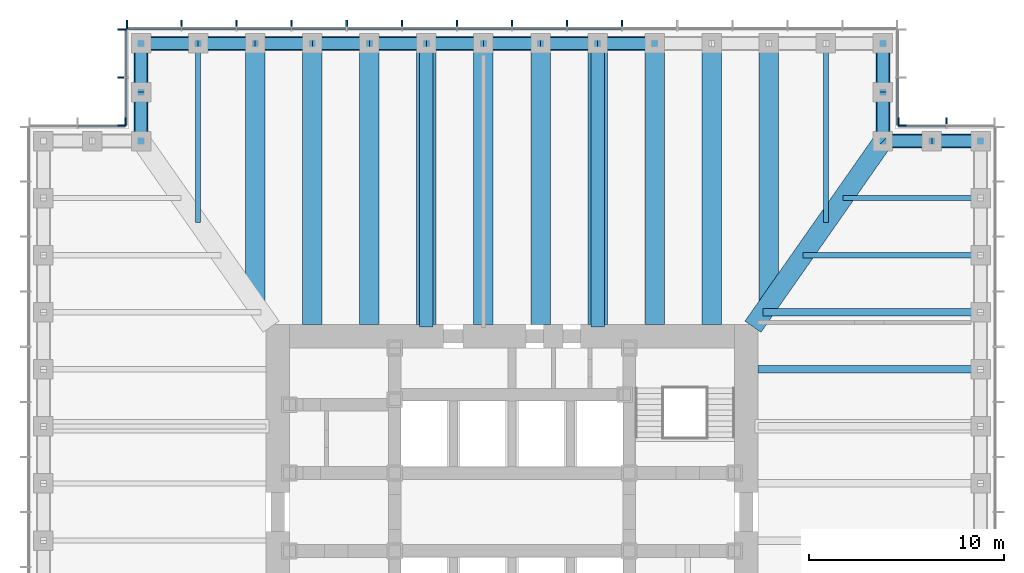
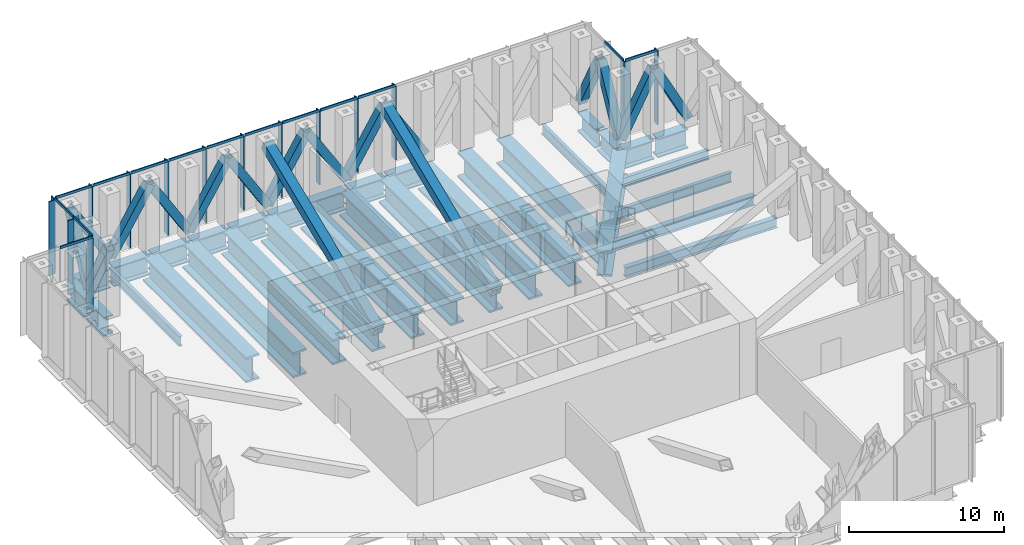
# One storey, part 5 of 15: 48 members, 32 beams, 5 elements without a shape of their own.
"""IFC4 building model written with IfcOpenShell, lengths in metres."""

from ifc_helpers import new_model, si_unit, direction, frame, origin, origin_2d, place, context, subcontext, project, spatial, rectangle, hollow_rectangle, i_section, extrude, material, material_profile, profile_set, type_object, element, aggregate, save


model = new_model("IFC4")

# Units and contexts
model_context = context("Model", 3, precision=1e-05, world=origin(), true_north=direction((0.0, 1.0)))
body_context = subcontext(model_context, "Body", "Model", "MODEL_VIEW")
ifc_project = project(units=[si_unit("LENGTHUNIT", "METRE"), si_unit("AREAUNIT", "SQUARE_METRE"), si_unit("VOLUMEUNIT", "CUBIC_METRE"), si_unit("PLANEANGLEUNIT", "RADIAN"), si_unit("MASSUNIT", "GRAM", prefix="KILO")], contexts=[model_context])

# Site, building, storey
site_placement = place(None, origin())
site = spatial("IfcSite", under=ifc_project, at=site_placement, CompositionType="ELEMENT")
building_placement = place(site_placement, origin())
building = spatial("IfcBuilding", under=site, at=building_placement, Name="Daluyong Arena Tower", CompositionType="ELEMENT")
storey_placement = place(building_placement, frame((0.0, 0.0, 102.10009765625)))
storey = spatial("IfcBuildingStorey", under=building, at=storey_placement, Name="L22", CompositionType="ELEMENT", Elevation=102.10009765625)

# Members
ifc_material_1 = material(Name="Steel ASTM A572 Grade 50", Category="steel")
ifc_material_profile_1 = material_profile(ifc_material_1, hollow_rectangle(XDim=0.60009765625, YDim=0.60009765625, WallThickness=0.05, at=origin_2d()))
ifc_profile_set_1 = profile_set([ifc_material_profile_1], Name="Steel ASTM A572 Grade 50")
member_type_1 = type_object("IfcMemberType", Name="Belt truss diagonal BX600X50", PredefinedType="BRACE", material=ifc_profile_set_1)
for number, where, z_axis, x_axis, name in (
    (1, (80.0, 99.0, 0.5), (-0.465746432833, 0.0, 0.884918222382), (0.0, -1.0, 0.0), "belt truss diagonal BT1"),
    (2, (75.0, 99.0, 0.5), (0.465746432833, 0.0, 0.884918222382), (0.0, 1.0, 0.0), "belt truss diagonal BT1"),
    (3, (75.0, 99.0, 0.5), (0.0, 0.465746432833, 0.884918222382), (-1.0, 0.0, 0.0), "belt truss diagonal BT1"),
    (4, (75.0, 104.0, 0.5), (0.0, -0.465746432833, 0.884918222382), (1.0, 0.0, 0.0), "belt truss diagonal BT1"),
):
    element("IfcMember", number, at=place(storey_placement, frame(where, z_axis=z_axis, x_axis=x_axis)), inside=storey, type_object=member_type_1, Name=name, PredefinedType="BRACE", context=body_context, shape_type="SweptSolid", body=[
        extrude(hollow_rectangle(XDim=0.60009765625, YDim=0.60009765625, WallThickness=0.05, at=origin_2d()), origin(), (0.0, 0.0, 1.0), 5.36767578125),
    ])
for number, where, z_axis, x_axis, name in (
    (5, (63.3076171875, 104.0, 0.5), (-0.524099867959, 0.0, 0.851656813749), (0.0, -1.0, 0.0), "belt truss diagonal BT1"),
    (6, (57.46142578125, 104.0, 0.5), (0.524099867959, 0.0, 0.851656813749), (0.0, 1.0, 0.0), "belt truss diagonal BT1"),
):
    element("IfcMember", number, at=place(storey_placement, frame(where, z_axis=z_axis, x_axis=x_axis)), inside=storey, type_object=member_type_1, Name=name, PredefinedType="BRACE", context=body_context, shape_type="SweptSolid", body=[
        extrude(hollow_rectangle(XDim=0.60009765625, YDim=0.60009765625, WallThickness=0.05, at=origin_2d()), origin(), (0.0, 0.0, 1.0), 5.577392578125),
    ])
member_1_placement = place(storey_placement, frame((57.46142578125, 104.0, 0.5), z_axis=(-0.524068117116, 0.0, 0.851676352039), x_axis=(0.0, -1.0, 0.0)))
element("IfcMember", 7, at=member_1_placement, inside=storey, type_object=member_type_1, Name="belt truss diagonal BT1", PredefinedType="BRACE", context=body_context, shape_type="SweptSolid", body=[
    extrude(hollow_rectangle(XDim=0.60009765625, YDim=0.60009765625, WallThickness=0.05, at=origin_2d()), origin(), (0.0, 0.0, 1.0), 5.5771484375),
])
for number, where, z_axis, x_axis, name in (
    (8, (51.615478515625, 104.0, 0.5), (0.524099867959, 0.0, 0.851656813749), (0.0, 1.0, 0.0), "belt truss diagonal BT1"),
    (9, (51.615478515625, 104.0, 0.5), (-0.524099867959, 0.0, 0.851656813749), (0.0, -1.0, 0.0), "belt truss diagonal BT1"),
    (10, (45.769287109375, 104.0, 0.5), (0.524099867959, 0.0, 0.851656813749), (0.0, 1.0, 0.0), "belt truss diagonal BT1"),
    (11, (45.769287109375, 104.0, 0.5), (-0.524099867959, 0.0, 0.851656813749), (0.0, -1.0, 0.0), "belt truss diagonal BT1"),
    (12, (39.923095703125, 104.0, 0.5), (0.524099867959, 0.0, 0.851656813749), (0.0, 1.0, 0.0), "belt truss diagonal BT1"),
    (13, (39.923095703125, 104.0, 0.5), (-0.524099867959, 0.0, 0.851656813749), (0.0, -1.0, 0.0), "belt truss diagonal BT1"),
):
    element("IfcMember", number, at=place(storey_placement, frame(where, z_axis=z_axis, x_axis=x_axis)), inside=storey, type_object=member_type_1, Name=name, PredefinedType="BRACE", context=body_context, shape_type="SweptSolid", body=[
        extrude(hollow_rectangle(XDim=0.60009765625, YDim=0.60009765625, WallThickness=0.05, at=origin_2d()), origin(), (0.0, 0.0, 1.0), 5.577392578125),
    ])
for number, where, z_axis, x_axis, name in (
    (14, (37.0, 101.5, 0.5), (0.0, 0.465746432833, 0.884918222382), (-1.0, 0.0, 0.0), "belt truss diagonal BT1"),
    (15, (37.0, 101.5, 0.5), (0.0, -0.465746432833, 0.884918222382), (1.0, 0.0, 0.0), "belt truss diagonal BT1"),
):
    element("IfcMember", number, at=place(storey_placement, frame(where, z_axis=z_axis, x_axis=x_axis)), inside=storey, type_object=member_type_1, Name=name, PredefinedType="BRACE", context=body_context, shape_type="SweptSolid", body=[
        extrude(hollow_rectangle(XDim=0.60009765625, YDim=0.60009765625, WallThickness=0.05, at=origin_2d()), origin(), (0.0, 0.0, 1.0), 5.36767578125),
    ])

# Curtain wall, members
ifc_material_2 = material(Name="Bronze anodised aluminium and glass", Category="aluminium")
curtain_wall_type = type_object("IfcCurtainWallType", Name="Curtain wall CW6", PredefinedType="USERDEFINED", material=ifc_material_2)
curtain_wall_1_placement = place(storey_placement, origin())
curtain_wall_1 = element("IfcCurtainWall", 16, at=curtain_wall_1_placement, inside=storey, type_object=curtain_wall_type, Name="curtain wall L22 NE-N", ObjectType="UNITISED CURTAIN WALL", PredefinedType="USERDEFINED")
ifc_material_3 = material(Name="Bronze anodised aluminium fin", Category="aluminium")
ifc_material_profile_2 = material_profile(ifc_material_3, rectangle(XDim=0.449951171875, YDim=0.080078125, at=origin_2d()))
ifc_profile_set_2 = profile_set([ifc_material_profile_2], Name="Bronze anodised aluminium fin")
member_type_2 = type_object("IfcMemberType", Name="CW6 bronze fin 450x80", PredefinedType="MULLION", material=ifc_profile_set_2)
member_2_placement = place(storey_placement, frame((78.25, 99.97509765625, 0.0), z_axis=(0.0, 0.0, 1.0), x_axis=(0.0, -1.0, 0.0)))
member_2 = element("IfcMember", 17, at=member_2_placement, type_object=member_type_2, Name="curtain wall L22 NE-N fin 2", PredefinedType="MULLION", context=body_context, shape_type="SweptSolid", body=[
    extrude(rectangle(XDim=0.449951171875, YDim=0.080078125, at=origin_2d()), origin(), (0.0, 0.0, 1.0), 5.7998046875),
])
member_3_placement = place(storey_placement, frame((75.7900390625, 99.97509765625, 0.0), z_axis=(0.0, 0.0, 1.0), x_axis=(0.0, -1.0, 0.0)))
member_3 = element("IfcMember", 18, at=member_3_placement, type_object=member_type_2, Name="curtain wall L22 NE-N fin 3", PredefinedType="MULLION", context=body_context, shape_type="SweptSolid", body=[
    extrude(rectangle(XDim=0.449951171875, YDim=0.080078125, at=origin_2d()), origin(), (0.0, 0.0, 1.0), 5.7998046875),
])

# Curtain wall, member
curtain_wall_2_placement = place(storey_placement, origin())
curtain_wall_2 = element("IfcCurtainWall", 19, at=curtain_wall_2_placement, inside=storey, type_object=curtain_wall_type, Name="curtain wall L22 NE-E", ObjectType="UNITISED CURTAIN WALL", PredefinedType="USERDEFINED")
member_4_placement = place(storey_placement, frame((75.97509765625, 99.7900390625, 0.0), z_axis=(0.0, 0.0, 1.0), x_axis=(-1.0, 0.0, 0.0)))
member_4 = element("IfcMember", 20, at=member_4_placement, type_object=member_type_2, Name="curtain wall L22 NE-E fin 1", PredefinedType="MULLION", context=body_context, shape_type="SweptSolid", body=[
    extrude(rectangle(XDim=0.449951171875, YDim=0.080078125, at=origin_2d()), origin(), (0.0, 0.0, 1.0), 5.7998046875),
])

# Curtain wall, members
curtain_wall_3_placement = place(storey_placement, origin())
curtain_wall_3 = element("IfcCurtainWall", 21, at=curtain_wall_3_placement, inside=storey, type_object=curtain_wall_type, Name="curtain wall L22 N", ObjectType="UNITISED CURTAIN WALL", PredefinedType="USERDEFINED")
member_5_placement = place(storey_placement, frame((61.642822265625, 104.97509765625, 0.0), z_axis=(0.0, 0.0, 1.0), x_axis=(0.0, -1.0, 0.0)))
member_5 = element("IfcMember", 22, at=member_5_placement, type_object=member_type_2, Name="curtain wall L22 N fin 6", PredefinedType="MULLION", context=body_context, shape_type="SweptSolid", body=[
    extrude(rectangle(XDim=0.449951171875, YDim=0.080078125, at=origin_2d()), origin(), (0.0, 0.0, 1.0), 5.7998046875),
])
member_6_placement = place(storey_placement, frame((58.821533203125, 104.97509765625, 0.0), z_axis=(0.0, 0.0, 1.0), x_axis=(0.0, -1.0, 0.0)))
member_6 = element("IfcMember", 23, at=member_6_placement, type_object=member_type_2, Name="curtain wall L22 N fin 7", PredefinedType="MULLION", context=body_context, shape_type="SweptSolid", body=[
    extrude(rectangle(XDim=0.449951171875, YDim=0.080078125, at=origin_2d()), origin(), (0.0, 0.0, 1.0), 5.7998046875),
])
member_7_placement = place(storey_placement, frame((56.0, 104.97509765625, 0.0), z_axis=(0.0, 0.0, 1.0), x_axis=(0.0, -1.0, 0.0)))
member_7 = element("IfcMember", 24, at=member_7_placement, type_object=member_type_2, Name="curtain wall L22 N fin 8", PredefinedType="MULLION", context=body_context, shape_type="SweptSolid", body=[
    extrude(rectangle(XDim=0.449951171875, YDim=0.080078125, at=origin_2d()), origin(), (0.0, 0.0, 1.0), 5.7998046875),
])
member_8_placement = place(storey_placement, frame((53.178466796875, 104.97509765625, 0.0), z_axis=(0.0, 0.0, 1.0), x_axis=(0.0, -1.0, 0.0)))
member_8 = element("IfcMember", 25, at=member_8_placement, type_object=member_type_2, Name="curtain wall L22 N fin 9", PredefinedType="MULLION", context=body_context, shape_type="SweptSolid", body=[
    extrude(rectangle(XDim=0.449951171875, YDim=0.080078125, at=origin_2d()), origin(), (0.0, 0.0, 1.0), 5.7998046875),
])
member_9_placement = place(storey_placement, frame((50.357177734375, 104.97509765625, 0.0), z_axis=(0.0, 0.0, 1.0), x_axis=(0.0, -1.0, 0.0)))
member_9 = element("IfcMember", 26, at=member_9_placement, type_object=member_type_2, Name="curtain wall L22 N fin 10", PredefinedType="MULLION", context=body_context, shape_type="SweptSolid", body=[
    extrude(rectangle(XDim=0.449951171875, YDim=0.080078125, at=origin_2d()), origin(), (0.0, 0.0, 1.0), 5.7998046875),
])
member_10_placement = place(storey_placement, frame((47.53564453125, 104.97509765625, 0.0), z_axis=(0.0, 0.0, 1.0), x_axis=(0.0, -1.0, 0.0)))
member_10 = element("IfcMember", 27, at=member_10_placement, type_object=member_type_2, Name="curtain wall L22 N fin 11", PredefinedType="MULLION", context=body_context, shape_type="SweptSolid", body=[
    extrude(rectangle(XDim=0.449951171875, YDim=0.080078125, at=origin_2d()), origin(), (0.0, 0.0, 1.0), 5.7998046875),
])
member_11_placement = place(storey_placement, frame((44.71435546875, 104.97509765625, 0.0), z_axis=(0.0, 0.0, 1.0), x_axis=(0.0, -1.0, 0.0)))
member_11 = element("IfcMember", 28, at=member_11_placement, type_object=member_type_2, Name="curtain wall L22 N fin 12", PredefinedType="MULLION", context=body_context, shape_type="SweptSolid", body=[
    extrude(rectangle(XDim=0.449951171875, YDim=0.080078125, at=origin_2d()), origin(), (0.0, 0.0, 1.0), 5.7998046875),
])
member_12_placement = place(storey_placement, frame((41.892822265625, 104.97509765625, 0.0), z_axis=(0.0, 0.0, 1.0), x_axis=(0.0, -1.0, 0.0)))
member_12 = element("IfcMember", 29, at=member_12_placement, type_object=member_type_2, Name="curtain wall L22 N fin 13", PredefinedType="MULLION", context=body_context, shape_type="SweptSolid", body=[
    extrude(rectangle(XDim=0.449951171875, YDim=0.080078125, at=origin_2d()), origin(), (0.0, 0.0, 1.0), 5.7998046875),
])
member_13_placement = place(storey_placement, frame((39.071533203125, 104.97509765625, 0.0), z_axis=(0.0, 0.0, 1.0), x_axis=(0.0, -1.0, 0.0)))
member_13 = element("IfcMember", 30, at=member_13_placement, type_object=member_type_2, Name="curtain wall L22 N fin 14", PredefinedType="MULLION", context=body_context, shape_type="SweptSolid", body=[
    extrude(rectangle(XDim=0.449951171875, YDim=0.080078125, at=origin_2d()), origin(), (0.0, 0.0, 1.0), 5.7998046875),
])
member_14_placement = place(storey_placement, frame((36.2900390625, 104.97509765625, 0.0), z_axis=(0.0, 0.0, 1.0), x_axis=(0.0, -1.0, 0.0)))
member_14 = element("IfcMember", 31, at=member_14_placement, type_object=member_type_2, Name="curtain wall L22 N fin 15", PredefinedType="MULLION", context=body_context, shape_type="SweptSolid", body=[
    extrude(rectangle(XDim=0.449951171875, YDim=0.080078125, at=origin_2d()), origin(), (0.0, 0.0, 1.0), 5.7998046875),
])

curtain_wall_4_placement = place(storey_placement, origin())
curtain_wall_4 = element("IfcCurtainWall", 32, at=curtain_wall_4_placement, inside=storey, type_object=curtain_wall_type, Name="curtain wall L22 NW-W", ObjectType="UNITISED CURTAIN WALL", PredefinedType="USERDEFINED")
member_15_placement = place(storey_placement, frame((36.02490234375, 104.7099609375, 0.0), z_axis=(0.0, 0.0, 1.0), x_axis=(1.0, 0.0, 0.0)))
member_15 = element("IfcMember", 33, at=member_15_placement, type_object=member_type_2, Name="curtain wall L22 NW-W fin 1", PredefinedType="MULLION", context=body_context, shape_type="SweptSolid", body=[
    extrude(rectangle(XDim=0.449951171875, YDim=0.080078125, at=origin_2d()), origin(), (0.0, 0.0, 1.0), 5.7998046875),
])
member_16_placement = place(storey_placement, frame((36.02490234375, 102.25, 0.0), z_axis=(0.0, 0.0, 1.0), x_axis=(1.0, 0.0, 0.0)))
member_16 = element("IfcMember", 34, at=member_16_placement, type_object=member_type_2, Name="curtain wall L22 NW-W fin 2", PredefinedType="MULLION", context=body_context, shape_type="SweptSolid", body=[
    extrude(rectangle(XDim=0.449951171875, YDim=0.080078125, at=origin_2d()), origin(), (0.0, 0.0, 1.0), 5.7998046875),
])
member_17_placement = place(storey_placement, frame((36.02490234375, 99.7900390625, 0.0), z_axis=(0.0, 0.0, 1.0), x_axis=(1.0, 0.0, 0.0)))
member_17 = element("IfcMember", 35, at=member_17_placement, type_object=member_type_2, Name="curtain wall L22 NW-W fin 3", PredefinedType="MULLION", context=body_context, shape_type="SweptSolid", body=[
    extrude(rectangle(XDim=0.449951171875, YDim=0.080078125, at=origin_2d()), origin(), (0.0, 0.0, 1.0), 5.7998046875),
])

# Curtain wall, member
curtain_wall_5_placement = place(storey_placement, origin())
curtain_wall_5 = element("IfcCurtainWall", 36, at=curtain_wall_5_placement, inside=storey, type_object=curtain_wall_type, Name="curtain wall L22 NW-N", ObjectType="UNITISED CURTAIN WALL", PredefinedType="USERDEFINED")
member_18_placement = place(storey_placement, frame((36.2099609375, 99.97509765625, 0.0), z_axis=(0.0, 0.0, 1.0), x_axis=(0.0, -1.0, 0.0)))
member_18 = element("IfcMember", 37, at=member_18_placement, type_object=member_type_2, Name="curtain wall L22 NW-N fin 1", PredefinedType="MULLION", context=body_context, shape_type="SweptSolid", body=[
    extrude(rectangle(XDim=0.449951171875, YDim=0.080078125, at=origin_2d()), origin(), (0.0, 0.0, 1.0), 5.7998046875),
])

# Member
ifc_material_4 = material(Name="Bronze anodised aluminium", Category="aluminium")
ifc_material_profile_3 = material_profile(ifc_material_4, rectangle(XDim=0.080078125, YDim=0.199951171875, at=origin_2d()))
ifc_profile_set_3 = profile_set([ifc_material_profile_3], Name="Bronze anodised aluminium")
member_type_3 = type_object("IfcMemberType", Name="CW6 stack transom 200x80", PredefinedType="USERDEFINED", material=ifc_profile_set_3)
member_19_placement = place(storey_placement, frame((78.2099609375, 99.75, 5.89990234375), z_axis=(-1.0, 0.0, 0.0), x_axis=(0.0, -1.0, 0.0)))
member_19 = element("IfcMember", 38, at=member_19_placement, type_object=member_type_3, Name="curtain wall L22 NE-N transom 2", ObjectType="TRANSOM", PredefinedType="USERDEFINED", context=body_context, shape_type="SweptSolid", body=[
    extrude(rectangle(XDim=0.080078125, YDim=0.199951171875, at=origin_2d()), origin(), (0.0, 0.0, 1.0), 2.3798828125),
])

aggregate(curtain_wall_1, [member_2, member_3, member_19])

member_20_placement = place(storey_placement, frame((75.75, 99.830078125, 5.89990234375), z_axis=(0.0, 1.0, 0.0), x_axis=(-1.0, 0.0, 0.0)))
member_20 = element("IfcMember", 39, at=member_20_placement, type_object=member_type_3, Name="curtain wall L22 NE-E transom 1", ObjectType="TRANSOM", PredefinedType="USERDEFINED", context=body_context, shape_type="SweptSolid", body=[
    extrude(rectangle(XDim=0.080078125, YDim=0.199951171875, at=origin_2d()), origin(), (0.0, 0.0, 1.0), 2.3798828125),
])

aggregate(curtain_wall_2, [member_4, member_20])

member_21_placement = place(storey_placement, frame((61.602783203125, 104.75, 5.89990234375), z_axis=(-1.0, 0.0, 0.0), x_axis=(0.0, -1.0, 0.0)))
member_21 = element("IfcMember", 40, at=member_21_placement, type_object=member_type_3, Name="curtain wall L22 N transom 6", ObjectType="TRANSOM", PredefinedType="USERDEFINED", context=body_context, shape_type="SweptSolid", body=[
    extrude(rectangle(XDim=0.080078125, YDim=0.199951171875, at=origin_2d()), origin(), (0.0, 0.0, 1.0), 2.741455078125),
])

member_22_placement = place(storey_placement, frame((58.781494140625, 104.75, 5.89990234375), z_axis=(-1.0, 0.0, 0.0), x_axis=(0.0, -1.0, 0.0)))
member_22 = element("IfcMember", 41, at=member_22_placement, type_object=member_type_3, Name="curtain wall L22 N transom 7", ObjectType="TRANSOM", PredefinedType="USERDEFINED", context=body_context, shape_type="SweptSolid", body=[
    extrude(rectangle(XDim=0.080078125, YDim=0.199951171875, at=origin_2d()), origin(), (0.0, 0.0, 1.0), 2.741455078125),
])

member_23_placement = place(storey_placement, frame((55.9599609375, 104.75, 5.89990234375), z_axis=(-1.0, 0.0, 0.0), x_axis=(0.0, -1.0, 0.0)))
member_23 = element("IfcMember", 42, at=member_23_placement, type_object=member_type_3, Name="curtain wall L22 N transom 8", ObjectType="TRANSOM", PredefinedType="USERDEFINED", context=body_context, shape_type="SweptSolid", body=[
    extrude(rectangle(XDim=0.080078125, YDim=0.199951171875, at=origin_2d()), origin(), (0.0, 0.0, 1.0), 2.741455078125),
])

member_24_placement = place(storey_placement, frame((53.138671875, 104.75, 5.89990234375), z_axis=(-1.0, 0.0, 0.0), x_axis=(0.0, -1.0, 0.0)))
member_24 = element("IfcMember", 43, at=member_24_placement, type_object=member_type_3, Name="curtain wall L22 N transom 9", ObjectType="TRANSOM", PredefinedType="USERDEFINED", context=body_context, shape_type="SweptSolid", body=[
    extrude(rectangle(XDim=0.080078125, YDim=0.199951171875, at=origin_2d()), origin(), (0.0, 0.0, 1.0), 2.741455078125),
])

member_25_placement = place(storey_placement, frame((50.317138671875, 104.75, 5.89990234375), z_axis=(-1.0, 0.0, 0.0), x_axis=(0.0, -1.0, 0.0)))
member_25 = element("IfcMember", 44, at=member_25_placement, type_object=member_type_3, Name="curtain wall L22 N transom 10", ObjectType="TRANSOM", PredefinedType="USERDEFINED", context=body_context, shape_type="SweptSolid", body=[
    extrude(rectangle(XDim=0.080078125, YDim=0.199951171875, at=origin_2d()), origin(), (0.0, 0.0, 1.0), 2.741455078125),
])

member_26_placement = place(storey_placement, frame((47.49560546875, 104.75, 5.89990234375), z_axis=(-1.0, 0.0, 0.0), x_axis=(0.0, -1.0, 0.0)))
member_26 = element("IfcMember", 45, at=member_26_placement, type_object=member_type_3, Name="curtain wall L22 N transom 11", ObjectType="TRANSOM", PredefinedType="USERDEFINED", context=body_context, shape_type="SweptSolid", body=[
    extrude(rectangle(XDim=0.080078125, YDim=0.199951171875, at=origin_2d()), origin(), (0.0, 0.0, 1.0), 2.7412109375),
])

member_27_placement = place(storey_placement, frame((44.67431640625, 104.75, 5.89990234375), z_axis=(-1.0, 0.0, 0.0), x_axis=(0.0, -1.0, 0.0)))
member_27 = element("IfcMember", 46, at=member_27_placement, type_object=member_type_3, Name="curtain wall L22 N transom 12", ObjectType="TRANSOM", PredefinedType="USERDEFINED", context=body_context, shape_type="SweptSolid", body=[
    extrude(rectangle(XDim=0.080078125, YDim=0.199951171875, at=origin_2d()), origin(), (0.0, 0.0, 1.0), 2.741455078125),
])

member_28_placement = place(storey_placement, frame((41.852783203125, 104.75, 5.89990234375), z_axis=(-1.0, 0.0, 0.0), x_axis=(0.0, -1.0, 0.0)))
member_28 = element("IfcMember", 47, at=member_28_placement, type_object=member_type_3, Name="curtain wall L22 N transom 13", ObjectType="TRANSOM", PredefinedType="USERDEFINED", context=body_context, shape_type="SweptSolid", body=[
    extrude(rectangle(XDim=0.080078125, YDim=0.199951171875, at=origin_2d()), origin(), (0.0, 0.0, 1.0), 2.741455078125),
])

member_29_placement = place(storey_placement, frame((39.031494140625, 104.75, 5.89990234375), z_axis=(-1.0, 0.0, 0.0), x_axis=(0.0, -1.0, 0.0)))
member_29 = element("IfcMember", 48, at=member_29_placement, type_object=member_type_3, Name="curtain wall L22 N transom 14", ObjectType="TRANSOM", PredefinedType="USERDEFINED", context=body_context, shape_type="SweptSolid", body=[
    extrude(rectangle(XDim=0.080078125, YDim=0.199951171875, at=origin_2d()), origin(), (0.0, 0.0, 1.0), 2.701416015625),
])

aggregate(curtain_wall_3, [member_5, member_6, member_7, member_8, member_9, member_10, member_11, member_12, member_13, member_14, member_21, member_22, member_23, member_24, member_25, member_26, member_27, member_28, member_29])

member_30_placement = place(storey_placement, frame((36.25, 104.669921875, 5.89990234375), z_axis=(0.0, -1.0, 0.0), x_axis=(1.0, 0.0, 0.0)))
member_30 = element("IfcMember", 49, at=member_30_placement, type_object=member_type_3, Name="curtain wall L22 NW-W transom 1", ObjectType="TRANSOM", PredefinedType="USERDEFINED", context=body_context, shape_type="SweptSolid", body=[
    extrude(rectangle(XDim=0.080078125, YDim=0.199951171875, at=origin_2d()), origin(), (0.0, 0.0, 1.0), 2.3798828125),
])

member_31_placement = place(storey_placement, frame((36.25, 102.2099609375, 5.89990234375), z_axis=(0.0, -1.0, 0.0), x_axis=(1.0, 0.0, 0.0)))
member_31 = element("IfcMember", 50, at=member_31_placement, type_object=member_type_3, Name="curtain wall L22 NW-W transom 2", ObjectType="TRANSOM", PredefinedType="USERDEFINED", context=body_context, shape_type="SweptSolid", body=[
    extrude(rectangle(XDim=0.080078125, YDim=0.199951171875, at=origin_2d()), origin(), (0.0, 0.0, 1.0), 2.3798828125),
])

aggregate(curtain_wall_4, [member_15, member_16, member_17, member_30, member_31])

member_32_placement = place(storey_placement, frame((36.169921875, 99.75, 5.89990234375), z_axis=(-1.0, 0.0, 0.0), x_axis=(0.0, -1.0, 0.0)))
member_32 = element("IfcMember", 51, at=member_32_placement, type_object=member_type_3, Name="curtain wall L22 NW-N transom 1", ObjectType="TRANSOM", PredefinedType="USERDEFINED", context=body_context, shape_type="SweptSolid", body=[
    extrude(rectangle(XDim=0.080078125, YDim=0.199951171875, at=origin_2d()), origin(), (0.0, 0.0, 1.0), 2.3798828125),
])

aggregate(curtain_wall_5, [member_18, member_32])

# Beams
ifc_material_5 = material(Name="Steel ASTM A588 Grade 50", Category="steel")
ifc_material_profile_4 = material_profile(ifc_material_5, i_section(OverallWidth=1.0, OverallDepth=2.0, WebThickness=0.06, FlangeThickness=0.15, at=origin_2d()))
ifc_profile_set_4 = profile_set([ifc_material_profile_4], Name="Steel ASTM A588 Grade 50")
beam_type_1 = type_object("IfcBeamType", Name="Corner girder PG2000X1000", PredefinedType="BEAM", material=ifc_profile_set_4)
beam_1_placement = place(storey_placement, frame((74.93408203125, 98.90576171875, -1.25), z_axis=(-0.573466621875, -0.819228926244, 0.0), x_axis=(0.819228926244, -0.573466621875, 0.0)))
element("IfcBeam", 52, at=beam_1_placement, inside=storey, type_object=beam_type_1, Name="corner girder DG3", PredefinedType="BEAM", context=body_context, shape_type="SweptSolid", body=[
    extrude(i_section(OverallWidth=1.0, OverallDepth=2.0, WebThickness=0.06, FlangeThickness=0.15, at=origin_2d()), origin(), (0.0, 0.0, 1.0), 11.49169921875),
])
ifc_material_6 = material(Name="Steel ASTM A588 Grade 50", Category="steel")
ifc_material_profile_5 = material_profile(ifc_material_6, i_section(OverallWidth=1.0, OverallDepth=2.0, WebThickness=0.06, FlangeThickness=0.15, at=origin_2d()))
ifc_profile_set_5 = profile_set([ifc_material_profile_5], Name="Steel ASTM A588 Grade 50")
beam_type_2 = type_object("IfcBeamType", Name="Floor beam PG2000X1000", PredefinedType="BEAM", material=ifc_profile_set_5)
beam_2_placement = place(storey_placement, frame((69.15380859375, 103.885009765625, -1.25), z_axis=(0.0, -1.0, 0.0), x_axis=(1.0, 0.0, 0.0)))
element("IfcBeam", 53, at=beam_2_placement, inside=storey, type_object=beam_type_2, Name="floor beam FB5", PredefinedType="BEAM", context=body_context, shape_type="SweptSolid", body=[
    extrude(i_section(OverallWidth=1.0, OverallDepth=2.0, WebThickness=0.06, FlangeThickness=0.15, at=origin_2d()), origin(), (0.0, 0.0, 1.0), 13.236572265625),
])
for number, where, z_axis, x_axis, name in (
    (54, (66.230712890625, 103.885009765625, -1.25), (0.0, -1.0, 0.0), (1.0, 0.0, 0.0), "floor beam FB5"),
    (55, (63.3076171875, 103.885009765625, -1.25), (0.0, -1.0, 0.0), (1.0, 0.0, 0.0), "floor beam FB5"),
    (56, (60.384521484375, 103.885009765625, -1.25), (0.0, -1.0, 0.0), (1.0, 0.0, 0.0), "floor beam FB5"),
    (57, (57.46142578125, 103.885009765625, -1.25), (0.0, -1.0, 0.0), (1.0, 0.0, 0.0), "floor beam FB5"),
    (58, (54.53857421875, 103.885009765625, -1.25), (0.0, -1.0, 0.0), (1.0, 0.0, 0.0), "floor beam FB5"),
    (59, (51.615478515625, 103.885009765625, -1.25), (0.0, -1.0, 0.0), (1.0, 0.0, 0.0), "floor beam FB5"),
    (60, (48.6923828125, 103.885009765625, -1.25), (0.0, -1.0, 0.0), (1.0, 0.0, 0.0), "floor beam FB5"),
    (61, (45.769287109375, 103.885009765625, -1.25), (0.0, -1.0, 0.0), (1.0, 0.0, 0.0), "floor beam FB5"),
):
    element("IfcBeam", number, at=place(storey_placement, frame(where, z_axis=z_axis, x_axis=x_axis)), inside=storey, type_object=beam_type_2, Name=name, PredefinedType="BEAM", context=body_context, shape_type="SweptSolid", body=[
        extrude(i_section(OverallWidth=1.0, OverallDepth=2.0, WebThickness=0.06, FlangeThickness=0.15, at=origin_2d()), origin(), (0.0, 0.0, 1.0), 14.284912109375),
    ])
beam_3_placement = place(storey_placement, frame((42.84619140625, 103.885009765625, -1.25), z_axis=(0.0, -1.0, 0.0), x_axis=(1.0, 0.0, 0.0)))
element("IfcBeam", 62, at=beam_3_placement, inside=storey, type_object=beam_type_2, Name="floor beam FB5", PredefinedType="BEAM", context=body_context, shape_type="SweptSolid", body=[
    extrude(i_section(OverallWidth=1.0, OverallDepth=2.0, WebThickness=0.06, FlangeThickness=0.15, at=origin_2d()), origin(), (0.0, 0.0, 1.0), 13.236572265625),
])
ifc_material_7 = material(Name="Steel ASTM A992 Grade 50", Category="steel")
ifc_material_profile_6 = material_profile(ifc_material_7, i_section(OverallWidth=0.2666015625, OverallDepth=0.761962890625, WebThickness=0.014404296875, FlangeThickness=0.021484375, at=origin_2d()))
ifc_profile_set_6 = profile_set([ifc_material_profile_6], Name="Steel ASTM A992 Grade 50")
beam_type_3 = type_object("IfcBeamType", Name="Floor beam W30X116", PredefinedType="BEAM", material=ifc_profile_set_6)
beam_4_placement = place(storey_placement, frame((79.885009765625, 93.15380859375, -0.631103515625), z_axis=(-1.0, 0.0, 0.0), x_axis=(0.0, -1.0, 0.0)))
element("IfcBeam", 63, at=beam_4_placement, inside=storey, type_object=beam_type_3, Name="floor beam FB4", PredefinedType="BEAM", context=body_context, shape_type="SweptSolid", body=[
    extrude(i_section(OverallWidth=0.2666015625, OverallDepth=0.761962890625, WebThickness=0.014404296875, FlangeThickness=0.021484375, at=origin_2d()), origin(), (0.0, 0.0, 1.0), 8.977294921875),
])
beam_5_placement = place(storey_placement, frame((79.885009765625, 96.076904296875, -0.631103515625), z_axis=(-1.0, 0.0, 0.0), x_axis=(0.0, -1.0, 0.0)))
element("IfcBeam", 64, at=beam_5_placement, inside=storey, type_object=beam_type_3, Name="floor beam FB4", PredefinedType="BEAM", context=body_context, shape_type="SweptSolid", body=[
    extrude(i_section(OverallWidth=0.2666015625, OverallDepth=0.761962890625, WebThickness=0.014404296875, FlangeThickness=0.021484375, at=origin_2d()), origin(), (0.0, 0.0, 1.0), 6.93115234375),
])
for number, where, z_axis, x_axis, name in (
    (65, (72.076904296875, 103.885009765625, -0.631103515625), (0.0, -1.0, 0.0), (1.0, 0.0, 0.0), "floor beam FB4"),
    (66, (39.923095703125, 103.885009765625, -0.631103515625), (0.0, -1.0, 0.0), (1.0, 0.0, 0.0), "floor beam FB4"),
):
    element("IfcBeam", number, at=place(storey_placement, frame(where, z_axis=z_axis, x_axis=x_axis)), inside=storey, type_object=beam_type_3, Name=name, PredefinedType="BEAM", context=body_context, shape_type="SweptSolid", body=[
        extrude(i_section(OverallWidth=0.2666015625, OverallDepth=0.761962890625, WebThickness=0.014404296875, FlangeThickness=0.021484375, at=origin_2d()), origin(), (0.0, 0.0, 1.0), 9.060791015625),
    ])
ifc_material_8 = material(Name="Steel ASTM A992 Grade 50", Category="steel")
ifc_material_profile_7 = material_profile(ifc_material_8, i_section(OverallWidth=0.381103515625, OverallDepth=0.772216796875, WebThickness=0.0166015625, FlangeThickness=0.027099609375, at=origin_2d()))
ifc_profile_set_7 = profile_set([ifc_material_profile_7], Name="Steel ASTM A992 Grade 50")
beam_type_4 = type_object("IfcBeamType", Name="Floor beam W30X173", PredefinedType="BEAM", material=ifc_profile_set_7)
beam_6_placement = place(storey_placement, frame((79.885009765625, 87.3076171875, -0.63623046875), z_axis=(-1.0, 0.0, 0.0), x_axis=(0.0, -1.0, 0.0)))
element("IfcBeam", 67, at=beam_6_placement, inside=storey, type_object=beam_type_4, Name="floor beam FB2", PredefinedType="BEAM", context=body_context, shape_type="SweptSolid", body=[
    extrude(i_section(OverallWidth=0.381103515625, OverallDepth=0.772216796875, WebThickness=0.0166015625, FlangeThickness=0.027099609375, at=origin_2d()), origin(), (0.0, 0.0, 1.0), 11.284912109375),
])
beam_7_placement = place(storey_placement, frame((79.885009765625, 90.230712890625, -0.63623046875), z_axis=(-1.0, 0.0, 0.0), x_axis=(0.0, -1.0, 0.0)))
element("IfcBeam", 68, at=beam_7_placement, inside=storey, type_object=beam_type_4, Name="floor beam FB2", PredefinedType="BEAM", context=body_context, shape_type="SweptSolid", body=[
    extrude(i_section(OverallWidth=0.381103515625, OverallDepth=0.772216796875, WebThickness=0.0166015625, FlangeThickness=0.027099609375, at=origin_2d()), origin(), (0.0, 0.0, 1.0), 11.0234375),
])

# Members
ifc_material_9 = material(Name="Steel ASTM A572 Grade 50", Category="steel")
ifc_material_profile_8 = material_profile(ifc_material_9, hollow_rectangle(XDim=0.699951171875, YDim=0.699951171875, WallThickness=0.06, at=origin_2d()))
ifc_profile_set_8 = profile_set([ifc_material_profile_8], Name="Steel ASTM A572 Grade 50")
member_type_4 = type_object("IfcMemberType", Name="Outrigger diagonal BX700X60", PredefinedType="BRACE", material=ifc_profile_set_8)
for number, where, z_axis, x_axis, name in (
    (69, (51.615478515625, 89.60009765625, -0.75), (0.0, 0.923075997031, 0.384617607118), (-1.0, 0.0, 0.0), "outrigger diagonal OT1"),
    (70, (60.384521484375, 89.60009765625, -0.75), (0.0, 0.923075997031, 0.384617607118), (-1.0, 0.0, 0.0), "outrigger diagonal OT1"),
):
    element("IfcMember", number, at=place(storey_placement, frame(where, z_axis=z_axis, x_axis=x_axis)), inside=storey, type_object=member_type_4, Name=name, PredefinedType="BRACE", context=body_context, shape_type="SweptSolid", body=[
        extrude(hollow_rectangle(XDim=0.699951171875, YDim=0.699951171875, WallThickness=0.06, at=origin_2d()), origin(), (0.0, 0.0, 1.0), 15.599853515625),
    ])

# Beams
ifc_material_10 = material(Name="Steel ASTM A572 Grade 50", Category="steel")
ifc_material_profile_9 = material_profile(ifc_material_10, i_section(OverallWidth=0.699951171875, OverallDepth=1.5, WebThickness=0.04, FlangeThickness=0.08, at=origin_2d()))
ifc_profile_set_9 = profile_set([ifc_material_profile_9], Name="Steel ASTM A572 Grade 50")
beam_type_5 = type_object("IfcBeamType", Name="Spandrel Z1 PG1500X700", PredefinedType="SPANDREL", material=ifc_profile_set_9)
for number, where, z_axis, x_axis, name in (
    (71, (79.885009765625, 99.0, -1.0), (-1.0, 0.0, 0.0), (0.0, -1.0, 0.0), "spandrel z1 SB4"),
    (72, (77.385009765625, 99.0, -1.0), (-1.0, 0.0, 0.0), (0.0, -1.0, 0.0), "spandrel z1 SB4"),
    (73, (75.0, 99.114990234375, -1.0), (0.0, 1.0, 0.0), (-1.0, 0.0, 0.0), "spandrel z1 SB4"),
    (74, (75.0, 101.614990234375, -1.0), (0.0, 1.0, 0.0), (-1.0, 0.0, 0.0), "spandrel z1 SB4"),
):
    element("IfcBeam", number, at=place(storey_placement, frame(where, z_axis=z_axis, x_axis=x_axis)), inside=storey, type_object=beam_type_5, Name=name, PredefinedType="SPANDREL", context=body_context, shape_type="SweptSolid", body=[
        extrude(i_section(OverallWidth=0.699951171875, OverallDepth=1.5, WebThickness=0.04, FlangeThickness=0.08, at=origin_2d()), origin(), (0.0, 0.0, 1.0), 2.27001953125),
    ])
for number, where, z_axis, x_axis, name in (
    (75, (63.192626953125, 104.0, -1.0), (-1.0, 0.0, 0.0), (0.0, -1.0, 0.0), "spandrel z1 SB4"),
    (76, (60.26953125, 104.0, -1.0), (-1.0, 0.0, 0.0), (0.0, -1.0, 0.0), "spandrel z1 SB4"),
):
    element("IfcBeam", number, at=place(storey_placement, frame(where, z_axis=z_axis, x_axis=x_axis)), inside=storey, type_object=beam_type_5, Name=name, PredefinedType="SPANDREL", context=body_context, shape_type="SweptSolid", body=[
        extrude(i_section(OverallWidth=0.699951171875, OverallDepth=1.5, WebThickness=0.04, FlangeThickness=0.08, at=origin_2d()), origin(), (0.0, 0.0, 1.0), 2.693115234375),
    ])
beam_8_placement = place(storey_placement, frame((57.346435546875, 104.0, -1.0), z_axis=(-1.0, 0.0, 0.0), x_axis=(0.0, -1.0, 0.0)))
element("IfcBeam", 77, at=beam_8_placement, inside=storey, type_object=beam_type_5, Name="spandrel z1 SB4", PredefinedType="SPANDREL", context=body_context, shape_type="SweptSolid", body=[
    extrude(i_section(OverallWidth=0.699951171875, OverallDepth=1.5, WebThickness=0.04, FlangeThickness=0.08, at=origin_2d()), origin(), (0.0, 0.0, 1.0), 2.69287109375),
])
for number, where, z_axis, x_axis, name in (
    (78, (54.423583984375, 104.0, -1.0), (-1.0, 0.0, 0.0), (0.0, -1.0, 0.0), "spandrel z1 SB4"),
    (79, (51.50048828125, 104.0, -1.0), (-1.0, 0.0, 0.0), (0.0, -1.0, 0.0), "spandrel z1 SB4"),
    (80, (48.577392578125, 104.0, -1.0), (-1.0, 0.0, 0.0), (0.0, -1.0, 0.0), "spandrel z1 SB4"),
    (81, (45.654296875, 104.0, -1.0), (-1.0, 0.0, 0.0), (0.0, -1.0, 0.0), "spandrel z1 SB4"),
    (82, (42.731201171875, 104.0, -1.0), (-1.0, 0.0, 0.0), (0.0, -1.0, 0.0), "spandrel z1 SB4"),
    (83, (39.80810546875, 104.0, -1.0), (-1.0, 0.0, 0.0), (0.0, -1.0, 0.0), "spandrel z1 SB4"),
):
    element("IfcBeam", number, at=place(storey_placement, frame(where, z_axis=z_axis, x_axis=x_axis)), inside=storey, type_object=beam_type_5, Name=name, PredefinedType="SPANDREL", context=body_context, shape_type="SweptSolid", body=[
        extrude(i_section(OverallWidth=0.699951171875, OverallDepth=1.5, WebThickness=0.04, FlangeThickness=0.08, at=origin_2d()), origin(), (0.0, 0.0, 1.0), 2.693115234375),
    ])
for number, where, z_axis, x_axis, name in (
    (84, (37.0, 103.885009765625, -1.0), (0.0, -1.0, 0.0), (1.0, 0.0, 0.0), "spandrel z1 SB4"),
    (85, (37.0, 101.385009765625, -1.0), (0.0, -1.0, 0.0), (1.0, 0.0, 0.0), "spandrel z1 SB4"),
):
    element("IfcBeam", number, at=place(storey_placement, frame(where, z_axis=z_axis, x_axis=x_axis)), inside=storey, type_object=beam_type_5, Name=name, PredefinedType="SPANDREL", context=body_context, shape_type="SweptSolid", body=[
        extrude(i_section(OverallWidth=0.699951171875, OverallDepth=1.5, WebThickness=0.04, FlangeThickness=0.08, at=origin_2d()), origin(), (0.0, 0.0, 1.0), 2.27001953125),
    ])

save(model, "model.ifc")
